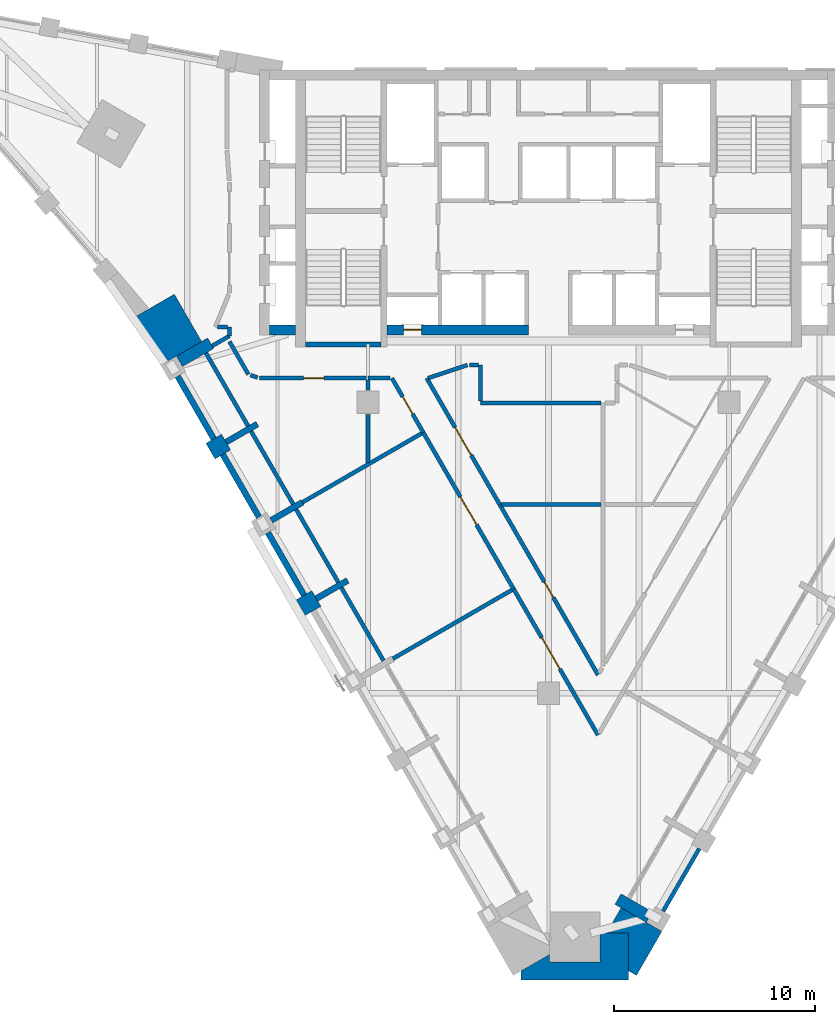
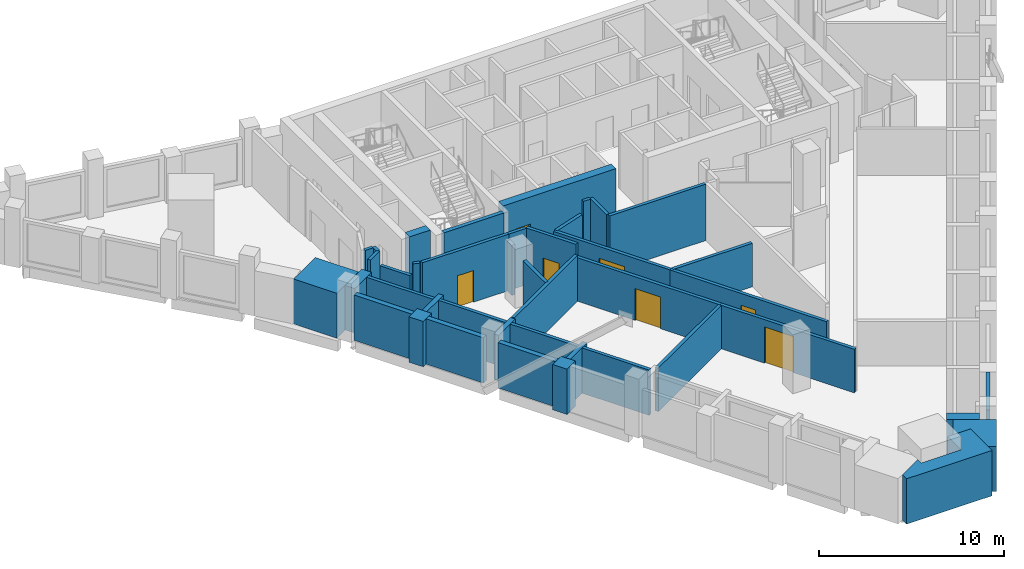
# One storey, part 3 of 9: 42 walls, 7 doors, 7 openings.
"""IFC4 building model written with IfcOpenShell, lengths in metres."""

from ifc_helpers import new_model, si_unit, direction, frame, frame_2d, origin, place, context, subcontext, project, spatial, polyline, rectangle, outline, extrude, material, layer, layer_set, type_object, element, fill, save


model = new_model("IFC4")

# Units and contexts
model_context = context("Model", 3, precision=1e-05, world=origin(), true_north=direction((0.0, 1.0)))
body_context = subcontext(model_context, "Body", "Model", "MODEL_VIEW")
ifc_project = project(units=[si_unit("LENGTHUNIT", "METRE"), si_unit("AREAUNIT", "SQUARE_METRE"), si_unit("VOLUMEUNIT", "CUBIC_METRE"), si_unit("PLANEANGLEUNIT", "RADIAN"), si_unit("MASSUNIT", "GRAM", prefix="KILO")], contexts=[model_context])

# Site, building, storey
site_placement = place(None, origin())
site = spatial("IfcSite", under=ifc_project, at=site_placement, CompositionType="ELEMENT")
building_placement = place(site_placement, origin())
building = spatial("IfcBuilding", under=site, at=building_placement, Name="Calabash Gate Tower", CompositionType="ELEMENT")
storey_placement = place(building_placement, frame((0.0, 0.0, 204.199951171875)))
storey = spatial("IfcBuildingStorey", under=building, at=storey_placement, Name="L48", CompositionType="ELEMENT", Elevation=204.199951171875)

# Walls
ifc_material_1 = material(Name="Terracotta brick masonry, exposed face", Category="masonry")
ifc_layer_1 = layer(ifc_material_1, 2.35009765625)
ifc_layer_set_1 = layer_set([ifc_layer_1], Name="Brick corner mass wall 2350")
wall_type_1 = type_object("IfcWallType", Name="Brick corner mass wall 2350", PredefinedType="SOLIDWALL", material=ifc_layer_set_1)
wall_1_placement = place(storey_placement, origin())
element("IfcWall", 1, at=wall_1_placement, inside=storey, type_object=wall_type_1, Name="Brick corner pier S13 1", PredefinedType="SOLIDWALL", context=body_context, shape_type="SweptSolid", body=[
    extrude(outline(polyline([(-20.6806640625, 6.703125), (-19.3212890625, 4.348876953125), (-18.542236328125, 4.798828125), (-18.542236328125, 4.798583984375), (-17.2861328125, 5.523681640625), (-18.6455078125, 7.878173828125), (-20.6806640625, 6.703125)])), origin(), (0.0, 0.0, 1.0), 2.9736328125),
])
wall_2_placement = place(storey_placement, origin())
element("IfcWall", 2, at=wall_2_placement, inside=storey, type_object=wall_type_1, Name="Brick corner pier S13 2ba", PredefinedType="SOLIDWALL", context=body_context, shape_type="SweptSolid", body=[
    extrude(outline(polyline([(2.56005859375, -23.93994140625), (2.56005859375, -25.39208984375), (0.06005859375, -25.39208984375), (0.06005859375, -25.012939453125), (-1.372314453125, -25.83984375), (-1.372314453125, -26.2900390625), (3.99267578125, -26.2900390625), (3.99267578125, -23.93994140625), (2.56005859375, -23.93994140625)])), origin(), (0.0, 0.0, 1.0), 3.0),
])
wall_3_placement = place(storey_placement, origin())
element("IfcWall", 3, at=wall_3_placement, inside=storey, type_object=wall_type_1, Name="Brick corner pier S13 2c", PredefinedType="SOLIDWALL", context=body_context, shape_type="SweptSolid", body=[
    extrude(outline(polyline([(4.871337890625, -23.418701171875), (3.615478515625, -22.693603515625), (2.895751953125, -23.93994140625), (3.99267578125, -23.93994140625), (3.99267578125, -25.83984375), (4.382568359375, -26.06494140625), (5.650634765625, -23.86865234375), (4.871337890625, -23.418701171875), (4.871337890625, -23.418701171875)])), origin(), (0.0, 0.0, 1.0), 3.0),
])
ifc_material_2 = material(Name="Terracotta brick masonry, exposed face", Category="masonry")
ifc_layer_2 = layer(ifc_material_2, 0.89990234375)
ifc_layer_set_2 = layer_set([ifc_layer_2], Name="Brick end wall 900")
wall_type_2 = type_object("IfcWallType", Name="Brick end wall 900", PredefinedType="SOLIDWALL", material=ifc_layer_set_2)
for number, where, z_axis, x_axis, name in (
    (4, (-16.06689453125, 0.511962890625, 0.0), (0.0, 0.0, 1.0), (-0.866013897511, -0.50001992892, 0.0), "Brick pier S13 SW0.1"),
    (5, (-12.181640625, -7.11767578125, 0.0), (0.0, 0.0, 1.0), (0.50001992892, -0.866013897511, 0.0), "Brick pier S13 SW0.3"),
):
    element("IfcWall", number, at=place(storey_placement, frame(where, z_axis=z_axis, x_axis=x_axis)), inside=storey, type_object=wall_type_2, Name=name, PredefinedType="SOLIDWALL", context=body_context, shape_type="SweptSolid", body=[
        extrude(rectangle(XDim=0.89990234375, YDim=0.89990234375, at=frame_2d((0.449951171875, 0.0))), origin(), (0.0, 0.0, 1.0), 3.0),
    ])
ifc_material_3 = material(Name="Terracotta brick masonry, exposed face", Category="masonry")
ifc_layer_3 = layer(ifc_material_3, 0.300048828125)
ifc_layer_set_3 = layer_set([ifc_layer_3], Name="Brick infill panel wall 300")
wall_type_3 = type_object("IfcWallType", Name="Brick infill panel wall 300", PredefinedType="SOLIDWALL", material=ifc_layer_set_3)
wall_4_placement = place(storey_placement, frame((-18.481689453125, 3.79443359375, 0.0), z_axis=(0.0, 0.0, 1.0), x_axis=(0.499982693035, -0.866035395735, 0.0)))
element("IfcWall", 6, at=wall_4_placement, inside=storey, type_object=wall_type_3, Name="Brick panel S13 SW0.1", PredefinedType="SOLIDWALL", context=body_context, shape_type="SweptSolid", body=[
    extrude(rectangle(XDim=3.600341796875, YDim=0.300048828125, at=frame_2d((1.80029296875, 0.0))), origin(), (0.0, 0.0, 1.0), 3.0),
])
wall_5_placement = place(storey_placement, frame((-16.231689453125, -0.102783203125, 0.0), z_axis=(0.0, 0.0, 1.0), x_axis=(0.499990559667, -0.866030854095, 0.0)))
element("IfcWall", 7, at=wall_5_placement, inside=storey, type_object=wall_type_3, Name="Brick panel S13 SW0.2", PredefinedType="SOLIDWALL", context=body_context, shape_type="SweptSolid", body=[
    extrude(rectangle(XDim=3.599609375, YDim=0.300048828125, at=frame_2d((1.7998046875, 0.0))), origin(), (0.0, 0.0, 1.0), 3.0),
])
wall_6_placement = place(storey_placement, frame((-13.981689453125, -4.0, 0.0), z_axis=(0.0, 0.0, 1.0), x_axis=(0.500012057535, -0.866018442252, 0.0)))
element("IfcWall", 8, at=wall_6_placement, inside=storey, type_object=wall_type_3, Name="Brick panel S13 SW0.3", PredefinedType="SOLIDWALL", context=body_context, shape_type="SweptSolid", body=[
    extrude(rectangle(XDim=3.60009765625, YDim=0.300048828125, at=frame_2d((1.800048828125, 0.0))), origin(), (0.0, 0.0, 1.0), 3.0),
])
ifc_material_4 = material(Name="Terracotta brick masonry, exposed face", Category="masonry")
ifc_layer_4 = layer(ifc_material_4, 0.300048828125)
ifc_layer_set_4 = layer_set([ifc_layer_4], Name="Brick loggia cheek wall 300")
wall_type_4 = type_object("IfcWallType", Name="Brick loggia cheek wall 300", PredefinedType="SOLIDWALL", material=ifc_layer_set_4)
wall_7_placement = place(storey_placement, frame((-16.8330078125, 5.43896484375, 0.0), z_axis=(0.0, 0.0, 1.0), x_axis=(-0.865989075817, -0.500062916607, 0.0)))
element("IfcWall", 9, at=wall_7_placement, inside=storey, type_object=wall_type_4, Name="Loggia cheek S13 SW0.0", PredefinedType="SOLIDWALL", context=body_context, shape_type="SweptSolid", body=[
    extrude(rectangle(XDim=1.800048828125, YDim=0.60009765625, at=frame_2d((0.89990234375, 0.0))), origin(), (0.0, 0.0, 1.0), 2.9501953125),
])
for number, where, z_axis, x_axis, name in (
    (10, (-16.06689453125, 0.511962890625, 0.0), (0.0, 0.0, 1.0), (0.866047807691, 0.499961193289, 0.0), "Loggia cheek S13 SW0.1"),
    (11, (-13.81689453125, -3.38525390625, 0.0), (0.0, 0.0, 1.0), (0.865989075817, 0.500062916607, 0.0), "Loggia cheek S13 SW0.2"),
    (12, (-11.56689453125, -7.2822265625, 0.0), (0.0, 0.0, 1.0), (0.866047807691, 0.499961193289, 0.0), "Loggia cheek S13 SW0.3"),
):
    element("IfcWall", number, at=place(storey_placement, frame(where, z_axis=z_axis, x_axis=x_axis)), inside=storey, type_object=wall_type_4, Name=name, PredefinedType="SOLIDWALL", context=body_context, shape_type="SweptSolid", body=[
        extrude(rectangle(XDim=1.800048828125, YDim=0.300048828125, at=frame_2d((0.89990234375, 0.0))), origin(), (0.0, 0.0, 1.0), 3.0),
    ])
wall_8_placement = place(storey_placement, frame((3.46240234375, -22.2587890625, 0.0), z_axis=(0.0, 0.0, 1.0), x_axis=(0.866047807691, -0.499961193289, 0.0)))
element("IfcWall", 13, at=wall_8_placement, inside=storey, type_object=wall_type_4, Name="Loggia cheek S13 SE2.0", PredefinedType="SOLIDWALL", context=body_context, shape_type="SweptSolid", body=[
    extrude(rectangle(XDim=1.800048828125, YDim=0.60009765625, at=frame_2d((0.89990234375, 0.0))), origin(), (0.0, 0.0, 1.0), 3.0),
])
ifc_material_5 = material(Name="Concrete C70/85", Category="concrete")
ifc_layer_5 = layer(ifc_material_5, 0.25)
ifc_layer_set_5 = layer_set([ifc_layer_5], Name="Core wall 250 Concrete C70/85")
wall_type_5 = type_object("IfcWallType", Name="Core wall 250 Concrete C70/85", PredefinedType="SHEAR", material=ifc_layer_set_5)
wall_9_placement = place(storey_placement, frame((-12.10009765625, 5.377685546875, 0.0), z_axis=(0.0, 0.0, 1.0), x_axis=(1.0, 0.0, 0.0)))
element("IfcWall", 14, at=wall_9_placement, inside=storey, type_object=wall_type_5, Name="Core wall Z4-SSW L48", PredefinedType="SHEAR", context=body_context, shape_type="SweptSolid", body=[
    extrude(rectangle(XDim=3.75, YDim=0.25, at=frame_2d((1.875, 0.0))), origin(), (0.0, 0.0, 1.0), 3.900146484375),
])

# Wall, opening, door
ifc_material_6 = material(Name="Concrete C70/85", Category="concrete")
ifc_layer_6 = layer(ifc_material_6, 0.5)
ifc_layer_set_6 = layer_set([ifc_layer_6], Name="Core wall 500 Concrete C70/85")
wall_type_6 = type_object("IfcWallType", Name="Core wall 500 Concrete C70/85", PredefinedType="SHEAR", material=ifc_layer_set_6)
wall_10_placement = place(storey_placement, frame((-8.050048828125, 6.1025390625, 0.0), z_axis=(0.0, 0.0, 1.0), x_axis=(1.0, 0.0, 0.0)))
wall_10 = element("IfcWall", 15, at=wall_10_placement, inside=storey, type_object=wall_type_6, Name="Core wall Z4-SA L48", PredefinedType="SHEAR", context=body_context, shape_type="SweptSolid", body=[
    extrude(rectangle(XDim=7.050048828125, YDim=0.5, at=frame_2d((3.52490234375, 0.0))), origin(), (0.0, 0.0, 1.0), 3.900146484375),
])
opening_1_placement = place(wall_10_placement, frame((0.824951171875, 0.0, 0.0)))
opening_1 = element("IfcOpeningElement", 16, at=opening_1_placement, cuts=wall_10, Name="Opening O5-017", PredefinedType="OPENING", context=body_context, shape_type="SweptSolid", body=[
    extrude(rectangle(XDim=0.89990234375, YDim=2.10009765625, at=frame_2d((0.449951171875, 1.050048828125))), frame((0.0, 0.260009765625, 0.0), z_axis=(0.0, -1.0, 0.0), x_axis=(1.0, 0.0, 0.0)), (0.0, 0.0, 1.0), 0.52001953125),
])
ifc_material_7 = material(Name="Steel fire door set with fire-resisting glazing", Category="steel")
door_type_1 = type_object("IfcDoorType", Name="Fire door D07 900x2100 FD90", OperationType="NOTDEFINED", PredefinedType="DOOR", material=ifc_material_7)
door_1_placement = place(opening_1_placement, origin())
door_1 = element("IfcDoor", 17, at=door_1_placement, inside=storey, type_object=door_type_1, Name="Electrical Riser W door", OperationType="SINGLE_SWING_LEFT", OverallHeight=2.10009765625, OverallWidth=0.89990234375, PredefinedType="DOOR", context=body_context, shape_type="SweptSolid", body=[
    extrude(rectangle(XDim=0.89990234375, YDim=2.10009765625, at=frame_2d((0.449951171875, 1.050048828125))), frame((0.0, 0.02490234375, 0.0), z_axis=(0.0, -1.0, 0.0), x_axis=(1.0, 0.0, 0.0)), (0.0, 0.0, 1.0), 0.050048828125),
])
fill(opening_1, door_1)

# Wall
wall_11_placement = place(storey_placement, frame((-12.60009765625, 6.1025390625, 0.0), z_axis=(0.0, 0.0, 1.0), x_axis=(-1.0, 0.0, 0.0)))
element("IfcWall", 18, at=wall_11_placement, inside=storey, type_object=wall_type_6, Name="Core wall Z4-SW L48", PredefinedType="SHEAR", context=body_context, shape_type="SweptSolid", body=[
    extrude(rectangle(XDim=1.2998046875, YDim=0.5, at=frame_2d((0.64990234375, 0.0))), origin(), (0.0, 0.0, 1.0), 3.900146484375),
])

# Wall, opening, door
ifc_material_8 = material(Name="Gypsum board on steel studs, mineral wool", Category="steel")
ifc_layer_7 = layer(ifc_material_8, 0.199951171875)
ifc_layer_set_7 = layer_set([ifc_layer_7], Name="Partition 200 gypsum board EI 60")
wall_type_7 = type_object("IfcWallType", Name="Partition 200 gypsum board EI 60", PredefinedType="PARTITIONING", material=ifc_layer_set_7)
wall_12_placement = place(storey_placement, frame((-1.740478515625, -6.805908203125, 0.0), z_axis=(0.0, 0.0, 1.0), x_axis=(0.500136329277, -0.865946679731, 0.0)))
wall_12 = element("IfcWall", 19, at=wall_12_placement, inside=storey, type_object=wall_type_7, Name="Partition", PredefinedType="PARTITIONING", context=body_context, shape_type="SweptSolid", body=[
    extrude(rectangle(XDim=8.407958984375, YDim=0.199951171875, at=frame_2d((4.2041015625, 0.0))), origin(), (0.0, 0.0, 1.0), 2.884033203125),
])
opening_2_placement = place(wall_12_placement, frame((2.803955078125, 0.0, 0.0)))
opening_2 = element("IfcOpeningElement", 20, at=opening_2_placement, cuts=wall_12, Name="Opening 46-48-012", PredefinedType="OPENING", context=body_context, shape_type="SweptSolid", body=[
    extrude(rectangle(XDim=1.800048828125, YDim=2.39990234375, at=frame_2d((0.89990234375, 1.199951171875))), frame((0.0, 0.10986328125, 0.0), z_axis=(0.0, -1.0, 0.0), x_axis=(1.0, 0.0, 0.0)), (0.0, 0.0, 1.0), 0.219970703125),
])
ifc_material_9 = material(Name="Steel fire door set with fire-resisting glazing", Category="steel")
door_type_2 = type_object("IfcDoorType", Name="OD5 Open office double door 1800x2400", OperationType="NOTDEFINED", PredefinedType="DOOR", material=ifc_material_9)
door_2_placement = place(opening_2_placement, origin())
door_2 = element("IfcDoor", 21, at=door_2_placement, inside=storey, type_object=door_type_2, Name="Open office double door", OperationType="DOUBLE_DOOR_SINGLE_SWING", OverallHeight=2.39990234375, OverallWidth=1.800048828125, PredefinedType="DOOR", context=body_context, shape_type="SweptSolid", body=[
    extrude(rectangle(XDim=1.800048828125, YDim=2.39990234375, at=frame_2d((0.89990234375, 1.199951171875))), frame((0.0, 0.02490234375, 0.0), z_axis=(0.0, -1.0, 0.0), x_axis=(1.0, 0.0, 0.0)), (0.0, 0.0, 1.0), 0.050048828125),
])
fill(opening_2, door_2)

# Wall
wall_13_placement = place(storey_placement, frame((-7.7578125, -10.27978515625, 0.0), z_axis=(0.0, 0.0, 1.0), x_axis=(0.866142857868, 0.499796508355, 0.0)))
element("IfcWall", 22, at=wall_13_placement, inside=storey, type_object=wall_type_7, Name="Partition", PredefinedType="PARTITIONING", context=body_context, shape_type="SweptSolid", body=[
    extrude(rectangle(XDim=6.849365234375, YDim=0.199951171875, at=frame_2d((3.4248046875, 0.0))), origin(), (0.0, 0.0, 1.0), 2.884033203125),
])

# Wall, opening, door
wall_14_placement = place(storey_placement, frame((-6.240966796875, 0.98876953125, 0.0), z_axis=(0.0, 0.0, 1.0), x_axis=(0.5000018851, -0.866024315419, 0.0)))
wall_14 = element("IfcWall", 23, at=wall_14_placement, inside=storey, type_object=wall_type_7, Name="Partition", PredefinedType="PARTITIONING", context=body_context, shape_type="SweptSolid", body=[
    extrude(rectangle(XDim=9.0, YDim=0.199951171875, at=frame_2d((4.5, 0.0))), origin(), (0.0, 0.0, 1.0), 2.884033203125),
])
opening_3_placement = place(wall_14_placement, frame((3.699951171875, 0.0, 0.0)))
opening_3 = element("IfcOpeningElement", 24, at=opening_3_placement, cuts=wall_14, Name="Opening 46-48-001", PredefinedType="OPENING", context=body_context, shape_type="SweptSolid", body=[
    extrude(rectangle(XDim=1.60009765625, YDim=2.10009765625, at=frame_2d((0.800048828125, 1.050048828125))), frame((0.0, 0.10986328125, 0.0), z_axis=(0.0, -1.0, 0.0), x_axis=(1.0, 0.0, 0.0)), (0.0, 0.0, 1.0), 0.219970703125),
])
ifc_material_10 = material(Name="Steel fire door set with fire-resisting glazing", Category="steel")
door_type_3 = type_object("IfcDoorType", Name="LD1 Lounge double door 1600x2100", OperationType="NOTDEFINED", PredefinedType="DOOR", material=ifc_material_10)
door_3_placement = place(opening_3_placement, origin())
door_3 = element("IfcDoor", 25, at=door_3_placement, inside=storey, type_object=door_type_3, Name="Lounge double door", OperationType="DOUBLE_DOOR_SINGLE_SWING", OverallHeight=2.10009765625, OverallWidth=1.60009765625, PredefinedType="DOOR", context=body_context, shape_type="SweptSolid", body=[
    extrude(rectangle(XDim=1.60009765625, YDim=2.10009765625, at=frame_2d((0.800048828125, 1.050048828125))), frame((0.0, 0.02490234375, 0.0), z_axis=(0.0, -1.0, 0.0), x_axis=(1.0, 0.0, 0.0)), (0.0, 0.0, 1.0), 0.050048828125),
])
fill(opening_3, door_3)

wall_15_placement = place(storey_placement, frame((-2.43408203125, -2.596923828125, 0.0), z_axis=(0.0, 0.0, 1.0), x_axis=(0.499860458914, -0.86610595288, 0.0)))
wall_15 = element("IfcWall", 26, at=wall_15_placement, inside=storey, type_object=wall_type_7, Name="Partition", PredefinedType="PARTITIONING", context=body_context, shape_type="SweptSolid", body=[
    extrude(rectangle(XDim=9.801025390625, YDim=0.199951171875, at=frame_2d((4.900390625, 0.0))), origin(), (0.0, 0.0, 1.0), 2.884033203125),
])
opening_4_placement = place(wall_15_placement, frame((4.448974609375, 0.0, 0.0)))
opening_4 = element("IfcOpeningElement", 27, at=opening_4_placement, cuts=wall_15, Name="Opening 46-48-004", PredefinedType="OPENING", context=body_context, shape_type="SweptSolid", body=[
    extrude(rectangle(XDim=0.89990234375, YDim=2.10009765625, at=frame_2d((0.449951171875, 1.050048828125))), frame((0.0, 0.10986328125, 0.0), z_axis=(0.0, -1.0, 0.0), x_axis=(1.0, 0.0, 0.0)), (0.0, 0.0, 1.0), 0.219970703125),
])
ifc_material_11 = material(Name="Steel fire door set with fire-resisting glazing", Category="steel")
door_type_4 = type_object("IfcDoorType", Name="SD3 Store door 900x2100", OperationType="NOTDEFINED", PredefinedType="DOOR", material=ifc_material_11)
door_4_placement = place(opening_4_placement, origin())
door_4 = element("IfcDoor", 28, at=door_4_placement, inside=storey, type_object=door_type_4, Name="Store door", OperationType="SINGLE_SWING_LEFT", OverallHeight=2.10009765625, OverallWidth=0.89990234375, PredefinedType="DOOR", context=body_context, shape_type="SweptSolid", body=[
    extrude(rectangle(XDim=0.89990234375, YDim=2.10009765625, at=frame_2d((0.449951171875, 1.050048828125))), frame((0.0, 0.02490234375, 0.0), z_axis=(0.0, -1.0, 0.0), x_axis=(1.0, 0.0, 0.0)), (0.0, 0.0, 1.0), 0.050048828125),
])
fill(opening_4, door_4)

# Walls
wall_16_placement = place(storey_placement, frame((-2.333984375, -2.596923828125, 0.0), z_axis=(0.0, 0.0, 1.0), x_axis=(1.0, 0.0, 0.0)))
element("IfcWall", 29, at=wall_16_placement, inside=storey, type_object=wall_type_7, Name="Partition", PredefinedType="PARTITIONING", context=body_context, shape_type="SweptSolid", body=[
    extrude(rectangle(XDim=4.948974609375, YDim=0.199951171875, at=frame_2d((2.474609375, 0.0))), origin(), (0.0, 0.0, 1.0), 2.884033203125),
])
wall_17_placement = place(storey_placement, frame((-12.25830078125, -2.48486328125, 0.0), z_axis=(0.0, 0.0, 1.0), x_axis=(0.865815661702, 0.500363108105, 0.0)))
element("IfcWall", 30, at=wall_17_placement, inside=storey, type_object=wall_type_7, Name="Partition", PredefinedType="PARTITIONING", context=body_context, shape_type="SweptSolid", body=[
    extrude(rectangle(XDim=6.849609375, YDim=0.199951171875, at=frame_2d((3.4248046875, 0.0))), origin(), (0.0, 0.0, 1.0), 3.052001953125),
])

# Wall, opening, door
wall_18_placement = place(storey_placement, frame((-7.80419921875, 3.699462890625, 0.0), z_axis=(0.0, 0.0, 1.0), x_axis=(0.50003316619, -0.866006254429, 0.0)))
wall_18 = element("IfcWall", 31, at=wall_18_placement, inside=storey, type_object=wall_type_7, Name="Partition", PredefinedType="PARTITIONING", context=body_context, shape_type="SweptSolid", body=[
    extrude(rectangle(XDim=3.128662109375, YDim=0.199951171875, at=frame_2d((1.564453125, 0.0))), origin(), (0.0, 0.0, 1.0), 3.72998046875),
])
opening_5_placement = place(wall_18_placement, frame((1.0654296875, 0.0, 0.0)))
opening_5 = element("IfcOpeningElement", 32, at=opening_5_placement, cuts=wall_18, Name="Opening 46-48-009", PredefinedType="OPENING", context=body_context, shape_type="SweptSolid", body=[
    extrude(rectangle(XDim=1.0, YDim=2.10009765625, at=frame_2d((0.5, 1.050048828125))), frame((0.0, 0.10986328125, 0.0), z_axis=(0.0, -1.0, 0.0), x_axis=(1.0, 0.0, 0.0)), (0.0, 0.0, 1.0), 0.219970703125),
])
ifc_material_12 = material(Name="Steel fire door set with fire-resisting glazing", Category="steel")
door_type_5 = type_object("IfcDoorType", Name="LD2 Meeting room door 1000x2100", OperationType="NOTDEFINED", PredefinedType="DOOR", material=ifc_material_12)
door_5_placement = place(opening_5_placement, origin())
door_5 = element("IfcDoor", 33, at=door_5_placement, inside=storey, type_object=door_type_5, Name="Meeting room door", OperationType="SINGLE_SWING_RIGHT", OverallHeight=2.10009765625, OverallWidth=1.0, PredefinedType="DOOR", context=body_context, shape_type="SweptSolid", body=[
    extrude(rectangle(XDim=1.0, YDim=2.10009765625, at=frame_2d((0.5, 1.050048828125))), frame((0.0, 0.02490234375, 0.0), z_axis=(0.0, -1.0, 0.0), x_axis=(1.0, 0.0, 0.0)), (0.0, 0.0, 1.0), 0.050048828125),
])
fill(opening_5, door_5)

# Walls
wall_19_placement = place(storey_placement, frame((-8.999755859375, 1.89990234375, 0.0), z_axis=(0.0, 0.0, 1.0), x_axis=(0.000711888358, -0.999999746607, 0.0)))
element("IfcWall", 34, at=wall_19_placement, inside=storey, type_object=wall_type_7, Name="Partition", PredefinedType="PARTITIONING", context=body_context, shape_type="SweptSolid", body=[
    extrude(rectangle(XDim=2.400634765625, YDim=0.199951171875, at=frame_2d((1.2001953125, 0.0))), origin(), (0.0, 0.0, 1.0), 3.052001953125),
])
wall_20_placement = place(storey_placement, frame((-3.400146484375, 2.452392578125, 0.0), z_axis=(0.0, 0.0, 1.0), x_axis=(0.99999995964, -0.000284113959, 0.0)))
element("IfcWall", 35, at=wall_20_placement, inside=storey, type_object=wall_type_7, Name="Partition", PredefinedType="PARTITIONING", context=body_context, shape_type="SweptSolid", body=[
    extrude(rectangle(XDim=6.01513671875, YDim=0.199951171875, at=frame_2d((3.007568359375, 0.0))), origin(), (0.0, 0.0, 1.0), 3.72998046875),
])
wall_21_placement = place(storey_placement, frame((-3.402099609375, 4.3505859375, 0.0), z_axis=(0.0, 0.0, 1.0), x_axis=(0.001086217961, -0.999999410065, 0.0)))
element("IfcWall", 36, at=wall_21_placement, inside=storey, type_object=wall_type_7, Name="Partition", PredefinedType="PARTITIONING", context=body_context, shape_type="SweptSolid", body=[
    extrude(rectangle(XDim=1.798095703125, YDim=0.199951171875, at=frame_2d((0.89892578125, 0.0))), origin(), (0.0, 0.0, 1.0), 3.72998046875),
])
wall_22_placement = place(storey_placement, frame((-8.999755859375, 3.10009765625, 0.0), z_axis=(0.0, 0.0, 1.0), x_axis=(0.00293253871, 0.999995700099, 0.0)))
element("IfcWall", 37, at=wall_22_placement, inside=storey, type_object=wall_type_7, Name="Partition", PredefinedType="PARTITIONING", context=body_context, shape_type="SweptSolid", body=[
    extrude(rectangle(XDim=0.49951171875, YDim=0.199951171875, at=frame_2d((0.249755859375, 0.0))), origin(), (0.0, 0.0, 1.0), 3.33154296875),
])

# Wall, opening, door
wall_23_placement = place(storey_placement, frame((-14.400146484375, 3.699462890625, 0.0), z_axis=(0.0, 0.0, 1.0), x_axis=(0.999999963209, -0.000271259993, 0.0)))
wall_23 = element("IfcWall", 38, at=wall_23_placement, inside=storey, type_object=wall_type_7, Name="Partition", PredefinedType="PARTITIONING", context=body_context, shape_type="SweptSolid", body=[
    extrude(rectangle(XDim=5.400146484375, YDim=0.199951171875, at=frame_2d((2.7001953125, 0.0))), origin(), (0.0, 0.0, 1.0), 3.72998046875),
])
opening_6_placement = place(wall_23_placement, frame((2.201171875, 0.0, 0.0)))
opening_6 = element("IfcOpeningElement", 39, at=opening_6_placement, cuts=wall_23, Name="Opening 46-48-008", PredefinedType="OPENING", context=body_context, shape_type="SweptSolid", body=[
    extrude(rectangle(XDim=1.0, YDim=2.10009765625, at=frame_2d((0.5, 1.050048828125))), frame((0.0, 0.10986328125, 0.0), z_axis=(0.0, -1.0, 0.0), x_axis=(1.0, 0.0, 0.0)), (0.0, 0.0, 1.0), 0.219970703125),
])
door_6_placement = place(opening_6_placement, origin())
door_6 = element("IfcDoor", 40, at=door_6_placement, inside=storey, type_object=door_type_5, Name="Meeting room door", OperationType="SINGLE_SWING_LEFT", OverallHeight=2.10009765625, OverallWidth=1.0, PredefinedType="DOOR", context=body_context, shape_type="SweptSolid", body=[
    extrude(rectangle(XDim=1.0, YDim=2.10009765625, at=frame_2d((0.5, 1.050048828125))), frame((0.0, 0.02490234375, 0.0), z_axis=(0.0, -1.0, 0.0), x_axis=(1.0, 0.0, 0.0)), (0.0, 0.0, 1.0), 0.050048828125),
])
fill(opening_6, door_6)

# Wall
wall_24_placement = place(storey_placement, frame((-8.999755859375, 3.697998046875, 0.0), z_axis=(0.0, 0.0, 1.0), x_axis=(0.999999105954, 0.001337195149, 0.0)))
element("IfcWall", 41, at=wall_24_placement, inside=storey, type_object=wall_type_7, Name="Partition", PredefinedType="PARTITIONING", context=body_context, shape_type="SweptSolid", body=[
    extrude(rectangle(XDim=1.095458984375, YDim=0.199951171875, at=frame_2d((0.5478515625, 0.0))), origin(), (0.0, 0.0, 1.0), 3.72998046875),
])

# Wall, opening, door
wall_25_placement = place(storey_placement, frame((-6.071533203125, 3.69970703125, 0.0), z_axis=(0.0, 0.0, 1.0), x_axis=(0.50020597598, -0.865906450833, 0.0)))
wall_25 = element("IfcWall", 42, at=wall_25_placement, inside=storey, type_object=wall_type_7, Name="Partition", PredefinedType="PARTITIONING", context=body_context, shape_type="SweptSolid", body=[
    extrude(rectangle(XDim=7.26953125, YDim=0.199951171875, at=frame_2d((3.634765625, 0.0))), origin(), (0.0, 0.0, 1.0), 2.884033203125),
])
opening_7_placement = place(wall_25_placement, frame((2.836181640625, 0.0, 0.0)))
opening_7 = element("IfcOpeningElement", 43, at=opening_7_placement, cuts=wall_25, Name="Opening 46-48-003", PredefinedType="OPENING", context=body_context, shape_type="SweptSolid", body=[
    extrude(rectangle(XDim=1.60009765625, YDim=2.10009765625, at=frame_2d((0.800048828125, 1.050048828125))), frame((0.0, 0.10986328125, 0.0), z_axis=(0.0, -1.0, 0.0), x_axis=(1.0, 0.0, 0.0)), (0.0, 0.0, 1.0), 0.219970703125),
])
door_7_placement = place(opening_7_placement, origin())
door_7 = element("IfcDoor", 44, at=door_7_placement, inside=storey, type_object=door_type_3, Name="Lounge double door", OperationType="DOUBLE_DOOR_SINGLE_SWING", OverallHeight=2.10009765625, OverallWidth=1.60009765625, PredefinedType="DOOR", context=body_context, shape_type="SweptSolid", body=[
    extrude(rectangle(XDim=1.60009765625, YDim=2.10009765625, at=frame_2d((0.800048828125, 1.050048828125))), frame((0.0, 0.02490234375, 0.0), z_axis=(0.0, -1.0, 0.0), x_axis=(1.0, 0.0, 0.0)), (0.0, 0.0, 1.0), 0.050048828125),
])
fill(opening_7, door_7)

# Walls
wall_26_placement = place(storey_placement, frame((-14.859619140625, 3.852783203125, 0.0), z_axis=(0.0, 0.0, 1.0), x_axis=(0.948619741075, -0.316418373111, 0.0)))
element("IfcWall", 45, at=wall_26_placement, inside=storey, type_object=wall_type_7, Name="Partition", PredefinedType="PARTITIONING", context=body_context, shape_type="SweptSolid", body=[
    extrude(rectangle(XDim=0.38427734375, YDim=0.199951171875, at=frame_2d((0.192138671875, 0.0))), origin(), (0.0, 0.0, 1.0), 3.72998046875),
])
wall_27_placement = place(storey_placement, frame((-15.900390625, 5.522705078125, 0.0), z_axis=(0.0, 0.0, 1.0), x_axis=(0.499998034377, -0.866026538634, 0.0)))
element("IfcWall", 46, at=wall_27_placement, inside=storey, type_object=wall_type_7, Name="Partition", PredefinedType="PARTITIONING", context=body_context, shape_type="SweptSolid", body=[
    extrude(rectangle(XDim=1.8916015625, YDim=0.199951171875, at=frame_2d((0.94580078125, 0.0))), origin(), (0.0, 0.0, 1.0), 2.9501953125),
])
wall_28_placement = place(storey_placement, frame((-6.0, 3.69970703125, 0.0), z_axis=(0.0, 0.0, 1.0), x_axis=(0.948683298051, 0.316227766017, 0.0)))
element("IfcWall", 47, at=wall_28_placement, inside=storey, type_object=wall_type_7, Name="Partition", PredefinedType="PARTITIONING", context=body_context, shape_type="SweptSolid", body=[
    extrude(rectangle(XDim=2.063720703125, YDim=0.199951171875, at=frame_2d((1.03173828125, 0.0))), origin(), (0.0, 0.0, 1.0), 2.884033203125),
])
wall_29_placement = place(storey_placement, frame((-3.9423828125, 4.35205078125, 0.0), z_axis=(0.0, 0.0, 1.0), x_axis=(0.999996159087, -0.00277160798, 0.0)))
element("IfcWall", 48, at=wall_29_placement, inside=storey, type_object=wall_type_7, Name="Partition", PredefinedType="PARTITIONING", context=body_context, shape_type="SweptSolid", body=[
    extrude(rectangle(XDim=0.4404296875, YDim=0.199951171875, at=frame_2d((0.22021484375, 0.0))), origin(), (0.0, 0.0, 1.0), 3.72998046875),
])
wall_30_placement = place(storey_placement, frame((-15.904296875, 6.251953125, 0.0), z_axis=(0.0, 0.0, 1.0), x_axis=(0.00490992445, -0.999987946248, 0.0)))
element("IfcWall", 49, at=wall_30_placement, inside=storey, type_object=wall_type_7, Name="Partition", PredefinedType="PARTITIONING", context=body_context, shape_type="SweptSolid", body=[
    extrude(rectangle(XDim=0.447509765625, YDim=0.199951171875, at=frame_2d((0.2236328125, 0.0))), origin(), (0.0, 0.0, 1.0), 3.72998046875),
])
wall_31_placement = place(storey_placement, frame((-16.7578125, 5.308837890625, 0.0), z_axis=(0.0, 0.0, 1.0), x_axis=(0.866948968756, 0.498396915694, 0.0)))
element("IfcWall", 50, at=wall_31_placement, inside=storey, type_object=wall_type_7, Name="Partition", PredefinedType="PARTITIONING", context=body_context, shape_type="SweptSolid", body=[
    extrude(rectangle(XDim=0.989013671875, YDim=0.199951171875, at=frame_2d((0.49462890625, 0.0))), origin(), (0.0, 0.0, 1.0), 3.72998046875),
])
wall_32_placement = place(storey_placement, frame((-16.50048828125, 6.25244140625, 0.0), z_axis=(0.0, 0.0, 1.0), x_axis=(0.999999880791, -0.000488281192, 0.0)))
element("IfcWall", 51, at=wall_32_placement, inside=storey, type_object=wall_type_7, Name="Partition", PredefinedType="PARTITIONING", context=body_context, shape_type="SweptSolid", body=[
    extrude(rectangle(XDim=0.5, YDim=0.199951171875, at=frame_2d((0.25, 0.0))), origin(), (0.0, 0.0, 1.0), 3.72998046875),
])
ifc_material_13 = material(Name="Terracotta brick masonry, perforated", Category="masonry")
ifc_layer_8 = layer(ifc_material_13, 0.199951171875)
ifc_layer_set_8 = layer_set([ifc_layer_8], Name="Terracotta jaali screen A")
wall_type_8 = type_object("IfcWallType", Name="Terracotta jaali screen A", PredefinedType="SOLIDWALL", material=ifc_layer_set_8)
wall_33_placement = place(storey_placement, frame((5.7109375, -22.864013671875, 0.0), z_axis=(0.0, 0.0, 1.0), x_axis=(0.500012057535, 0.866018442252, 0.0)))
element("IfcWall", 52, at=wall_33_placement, inside=storey, type_object=wall_type_8, Name="SCREEN A S13 SE2.1", PredefinedType="SOLIDWALL", context=body_context, shape_type="SweptSolid", body=[
    extrude(rectangle(XDim=3.60009765625, YDim=0.199951171875, at=frame_2d((1.800048828125, 0.0))), origin(), (0.0, 0.0, 1.0), 3.0),
])
ifc_material_14 = material(Name="Aluminium framed window wall with insulated spandrel", Category="aluminium")
ifc_layer_9 = layer(ifc_material_14, 0.199951171875)
ifc_layer_set_9 = layer_set([ifc_layer_9], Name="Window wall 200")
wall_type_9 = type_object("IfcWallType", Name="Window wall 200", PredefinedType="ELEMENTEDWALL", material=ifc_layer_set_9)
wall_34_placement = place(storey_placement, frame((-17.07275390625, 4.9541015625, 0.0), z_axis=(0.0, 0.0, 1.0), x_axis=(0.500027713859, -0.866009402589, 0.0)))
element("IfcWall", 53, at=wall_34_placement, inside=storey, type_object=wall_type_9, Name="Window wall S13 SW0.1", PredefinedType="ELEMENTEDWALL", context=body_context, shape_type="SweptSolid", body=[
    extrude(rectangle(XDim=4.199951171875, YDim=0.199951171875, at=frame_2d((2.10009765625, 0.0))), origin(), (0.0, 0.0, 1.0), 2.9501953125),
])
wall_35_placement = place(storey_placement, frame((-14.82275390625, 1.05712890625, 0.0), z_axis=(0.0, 0.0, 1.0), x_axis=(0.500002543286, -0.866023935413, 0.0)))
element("IfcWall", 54, at=wall_35_placement, inside=storey, type_object=wall_type_9, Name="Window wall S13 SW0.2", PredefinedType="ELEMENTEDWALL", context=body_context, shape_type="SweptSolid", body=[
    extrude(rectangle(XDim=4.2001953125, YDim=0.199951171875, at=frame_2d((2.10009765625, 0.0))), origin(), (0.0, 0.0, 1.0), 3.0),
])
for number, where, z_axis, x_axis, name in (
    (55, (-12.57275390625, -2.840087890625, 0.0), (0.0, 0.0, 1.0), (0.500027713859, -0.866009402589, 0.0), "Window wall S13 SW0.3"),
    (56, (-10.32275390625, -6.7373046875, 0.0), (0.0, 0.0, 1.0), (0.500027713859, -0.866009402589, 0.0), "Window wall S13 SW0.4"),
):
    element("IfcWall", number, at=place(storey_placement, frame(where, z_axis=z_axis, x_axis=x_axis)), inside=storey, type_object=wall_type_9, Name=name, PredefinedType="ELEMENTEDWALL", context=body_context, shape_type="SweptSolid", body=[
        extrude(rectangle(XDim=4.199951171875, YDim=0.199951171875, at=frame_2d((2.10009765625, 0.0))), origin(), (0.0, 0.0, 1.0), 3.0),
    ])

save(model, "model.ifc")
